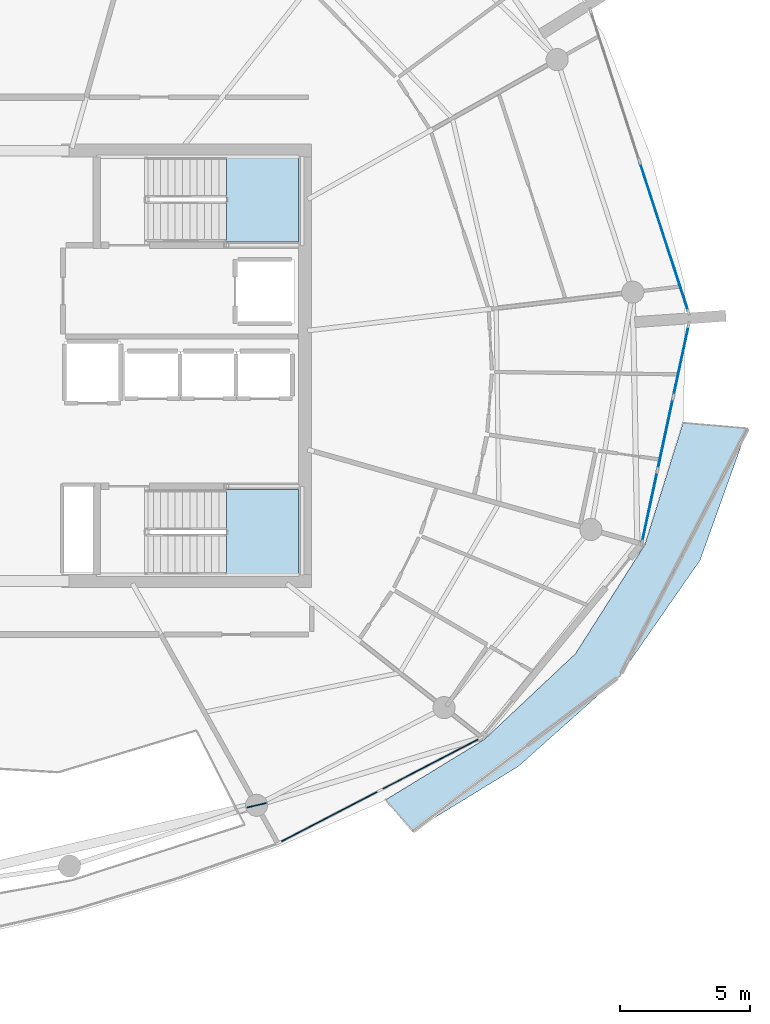
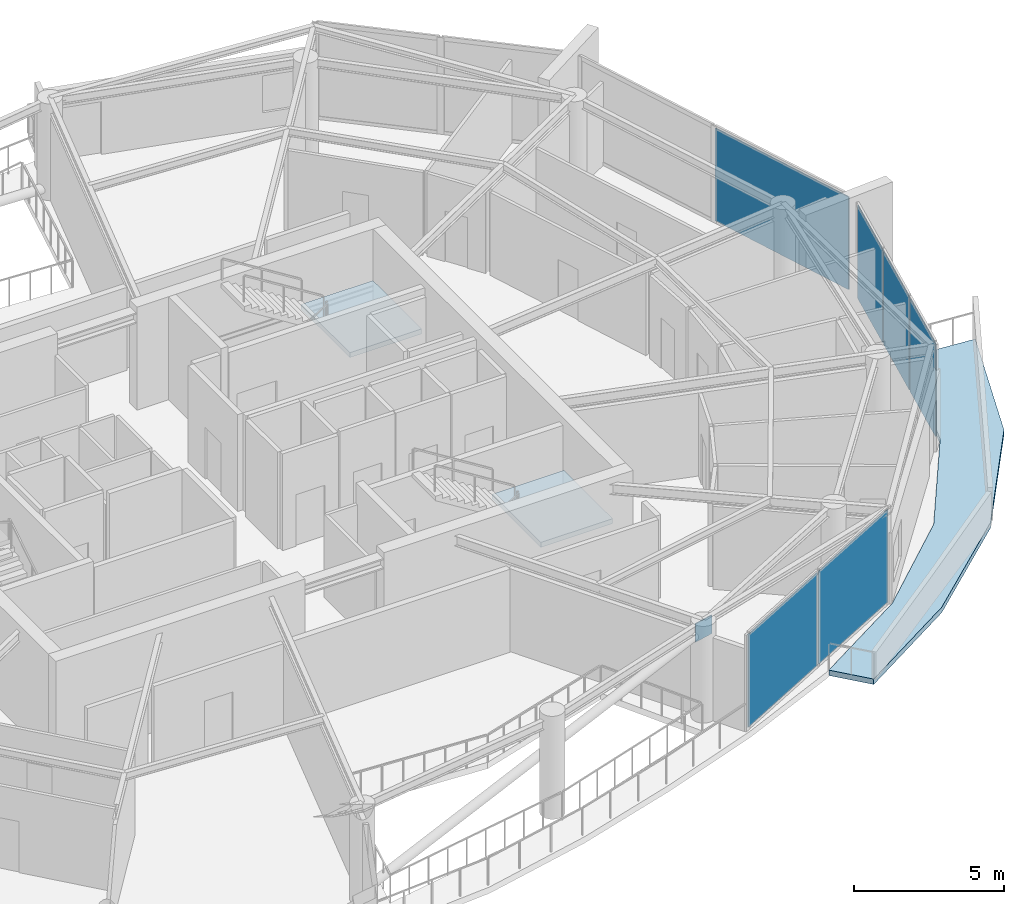
# One storey, part 11 of 22: 7 plates, 3 slabs, 5 elements without a shape of their own.
"""IFC4 building model written with IfcOpenShell, lengths in metres."""

from ifc_helpers import new_model, si_unit, direction, frame, origin, origin_2d, place, context, subcontext, project, spatial, polyline, rectangle, outline, extrude, material, layer, layer_set, type_object, element, aggregate, save


model = new_model("IFC4")

# Units and contexts
model_context = context("Model", 3, precision=1e-05, world=origin(), true_north=direction((0.0, 1.0)))
body_context = subcontext(model_context, "Body", "Model", "MODEL_VIEW")
ifc_project = project(units=[si_unit("LENGTHUNIT", "METRE"), si_unit("AREAUNIT", "SQUARE_METRE"), si_unit("VOLUMEUNIT", "CUBIC_METRE"), si_unit("PLANEANGLEUNIT", "RADIAN"), si_unit("MASSUNIT", "GRAM", prefix="KILO")], contexts=[model_context])

# Site, building, storey
site_placement = place(None, origin())
site = spatial("IfcSite", under=ifc_project, at=site_placement, CompositionType="ELEMENT")
building_placement = place(site_placement, origin())
building = spatial("IfcBuilding", under=site, at=building_placement, Name="Kazma Halo Residences", CompositionType="ELEMENT")
storey_placement = place(building_placement, frame((0.0, 0.0, 334.699951171875)))
storey = spatial("IfcBuildingStorey", under=building, at=storey_placement, Name="L84", CompositionType="ELEMENT", Elevation=334.699951171875)

# Curtain wall, plates
ifc_material_1 = material(Name="Aluminium AW-6063 T6 and Triple-Silver Low-E Glass", Category="aluminium")
ifc_layer_1 = layer(ifc_material_1, 0.239990234375)
ifc_layer_set_1 = layer_set([ifc_layer_1], Name="Aluminium AW-6063 T6 and Triple-Silver Low-E Glass")
curtain_wall_type = type_object("IfcCurtainWallType", Name="CW-SYS-6", PredefinedType="NOTDEFINED", material=ifc_layer_set_1)
curtain_wall_1_placement = place(storey_placement, origin())
curtain_wall_1 = element("IfcCurtainWall", 1, at=curtain_wall_1_placement, inside=storey, type_object=curtain_wall_type, Name="L84 unitised curtain wall B13", PredefinedType="NOTDEFINED")
ifc_material_2 = material(Name="Clear Triple-Silver Low-E Glass IGU", Category="glass")
ifc_layer_2 = layer(ifc_material_2, 0.035888671875)
ifc_layer_set_2 = layer_set([ifc_layer_2], Name="Clear Triple-Silver Low-E Glass IGU")
plate_type_1 = type_object("IfcPlateType", Name="CW-SYS-6-PNL", PredefinedType="CURTAIN_PANEL", material=ifc_layer_set_2)
plate_1_placement = place(storey_placement, frame((60.22802734375, 24.713134765625, 0.080078125), z_axis=(0.0, 0.0, 1.0), x_axis=(0.887506071618, 0.460796020861, 0.0)))
plate_1 = element("IfcPlate", 2, at=plate_1_placement, type_object=plate_type_1, Name="CWS-6 panel 1.1", PredefinedType="CURTAIN_PANEL", context=body_context, shape_type="SweptSolid", body=[
    extrude(rectangle(XDim=4.28662109375, YDim=0.035888671875, at=origin_2d()), origin(), (0.0, 0.0, 1.0), 3.780029296875),
])
plate_2_placement = place(storey_placement, frame((64.103271484375, 26.725341796875, 0.080078125), z_axis=(0.0, 0.0, 1.0), x_axis=(0.887506071618, 0.460796020861, 0.0)))
plate_2 = element("IfcPlate", 3, at=plate_2_placement, type_object=plate_type_1, Name="CWS-6 panel 2.1", PredefinedType="CURTAIN_PANEL", context=body_context, shape_type="SweptSolid", body=[
    extrude(rectangle(XDim=4.28662109375, YDim=0.035888671875, at=origin_2d()), origin(), (0.0, 0.0, 1.0), 3.780029296875),
])
aggregate(curtain_wall_1, [plate_1, plate_2])

curtain_wall_2_placement = place(storey_placement, origin())
curtain_wall_2 = element("IfcCurtainWall", 4, at=curtain_wall_2_placement, inside=storey, type_object=curtain_wall_type, Name="L84 unitised curtain wall B15", PredefinedType="NOTDEFINED")
plate_3_placement = place(storey_placement, frame((72.513427734375, 36.59912109375, 0.080078125), z_axis=(0.0, 0.0, 1.0), x_axis=(0.209722888986, 0.977760865363, 0.0)))
plate_3 = element("IfcPlate", 5, at=plate_3_placement, type_object=plate_type_1, Name="CWS-6 panel 1.1", PredefinedType="CURTAIN_PANEL", context=body_context, shape_type="SweptSolid", body=[
    extrude(rectangle(XDim=2.7578125, YDim=0.035888671875, at=origin_2d()), origin(), (0.0, 0.0, 1.0), 3.780029296875),
])
plate_4_placement = place(storey_placement, frame((73.11279296875, 39.3935546875, 0.080078125), z_axis=(0.0, 0.0, 1.0), x_axis=(0.209722888986, 0.977760865363, 0.0)))
plate_4 = element("IfcPlate", 6, at=plate_4_placement, type_object=plate_type_1, Name="CWS-6 panel 2.1", PredefinedType="CURTAIN_PANEL", context=body_context, shape_type="SweptSolid", body=[
    extrude(rectangle(XDim=2.7978515625, YDim=0.035888671875, at=origin_2d()), origin(), (0.0, 0.0, 1.0), 3.780029296875),
])
plate_5_placement = place(storey_placement, frame((73.712158203125, 42.187744140625, 0.080078125), z_axis=(0.0, 0.0, 1.0), x_axis=(0.209722888986, 0.977760865363, 0.0)))
plate_5 = element("IfcPlate", 7, at=plate_5_placement, type_object=plate_type_1, Name="CWS-6 panel 3.1", PredefinedType="CURTAIN_PANEL", context=body_context, shape_type="SweptSolid", body=[
    extrude(rectangle(XDim=2.7578125, YDim=0.035888671875, at=origin_2d()), origin(), (0.0, 0.0, 1.0), 3.780029296875),
])
aggregate(curtain_wall_2, [plate_3, plate_4, plate_5])

# Curtain wall, plate
curtain_wall_3_placement = place(storey_placement, origin())
curtain_wall_3 = element("IfcCurtainWall", 8, at=curtain_wall_3_placement, inside=storey, type_object=curtain_wall_type, Name="L84 unitised curtain wall B16", PredefinedType="NOTDEFINED")
plate_6_placement = place(storey_placement, frame((73.060791015625, 46.9501953125, 0.080078125), z_axis=(0.0, 0.0, 1.0), x_axis=(-0.309018932797, 0.951055886462, 0.0)))
plate_6 = element("IfcPlate", 9, at=plate_6_placement, type_object=plate_type_1, Name="CWS-6 panel 1.1", PredefinedType="CURTAIN_PANEL", context=body_context, shape_type="SweptSolid", body=[
    extrude(rectangle(XDim=5.99267578125, YDim=0.035888671875, at=origin_2d()), origin(), (0.0, 0.0, 1.0), 3.780029296875),
])
aggregate(curtain_wall_3, [plate_6])

# Plate
ifc_material_3 = material(Name="Steel S355", Category="steel")
ifc_layer_3 = layer(ifc_material_3, 0.0400390625)
ifc_layer_set_3 = layer_set([ifc_layer_3], Name="Steel S355")
plate_type_2 = type_object("IfcPlateType", Name="PLT-GUSSET-40", PredefinedType="SHEET", material=ifc_layer_set_3)
plate_7_placement = place(storey_placement, frame((57.436767578125, 25.1494140625, 3.18505859375), z_axis=(0.0, 0.0, 1.0), x_axis=(0.974083647521, 0.226188080216, 0.0)))
element("IfcPlate", 10, at=plate_7_placement, inside=storey, type_object=plate_type_2, Name="L84 wind-portal upper gusset SSE", PredefinedType="SHEET", context=body_context, shape_type="SweptSolid", body=[
    extrude(rectangle(XDim=0.75, YDim=0.0400390625, at=origin_2d()), origin(), (0.0, 0.0, 1.0), 0.75),
])

# Slab
ifc_material_4 = material(Name="White Concrete C50/60", Category="concrete")
ifc_layer_4 = layer(ifc_material_4, 0.219970703125)
ifc_layer_set_4 = layer_set([ifc_layer_4], Name="White Concrete C50/60")
slab_type_1 = type_object("IfcSlabType", Name="SLB-BAL-WAVE-210", PredefinedType="FLOOR", material=ifc_layer_set_4)
slab_1_placement = place(storey_placement, frame((0.0, 0.0, -0.219970703125)))
element("IfcSlab", 11, at=slab_1_placement, inside=storey, type_object=slab_type_1, Name="L84 SE cantilevered wave balcony slab", PredefinedType="FLOOR", context=body_context, shape_type="SweptSolid", body=[
    extrude(outline(polyline([(62.38818359375, 25.360595703125), (66.17236328125, 27.674072265625), (69.664794921875, 30.961181640625), (72.324951171875, 35.1396484375), (73.7900390625, 39.811767578125), (76.259521484375, 39.60205078125), (74.44189453125, 34.54248046875), (71.356689453125, 30.09912109375), (67.480224609375, 26.64306640625), (63.427001953125, 24.158935546875), (62.38818359375, 25.360595703125)])), origin(), (0.0, 0.0, 1.0), 0.219970703125),
])

# Stair, slab
ifc_material_5 = material(Name="Concrete C50/60", Category="concrete")
stair_type = type_object("IfcStairType", Name="STR-RES2", PredefinedType="HALF_TURN_STAIR", material=ifc_material_5)
stair_1_placement = place(storey_placement, origin())
stair_1 = element("IfcStair", 12, at=stair_1_placement, inside=storey, type_object=stair_type, Name="L84 Core exit stair ST-02", PredefinedType="HALF_TURN_STAIR")
ifc_layer_5 = layer(ifc_material_5, 0.199951171875)
ifc_layer_set_5 = layer_set([ifc_layer_5], Name="Concrete C50/60")
slab_type_2 = type_object("IfcSlabType", Name="SLB-STAIR-LND-200", PredefinedType="LANDING", material=ifc_layer_set_5)
slab_2_placement = place(storey_placement, frame((0.0, 0.0, 1.900146484375)))
slab_2 = element("IfcSlab", 13, at=slab_2_placement, type_object=slab_type_2, Name="ST-02 landing 1", PredefinedType="LANDING", context=body_context, shape_type="SweptSolid", body=[
    extrude(outline(polyline([(56.280029296875, 46.75), (59.050048828125, 46.75), (59.050048828125, 50.0), (56.280029296875, 50.0), (56.280029296875, 46.75)])), origin(), (0.0, 0.0, 1.0), 0.199951171875),
])
aggregate(stair_1, [slab_2])

stair_2_placement = place(storey_placement, origin())
stair_2 = element("IfcStair", 14, at=stair_2_placement, inside=storey, type_object=stair_type, Name="L84 Core exit stair ST-03", PredefinedType="HALF_TURN_STAIR")
slab_3_placement = place(storey_placement, frame((0.0, 0.0, 1.900146484375)))
slab_3 = element("IfcSlab", 15, at=slab_3_placement, type_object=slab_type_2, Name="ST-03 landing 1", PredefinedType="LANDING", context=body_context, shape_type="SweptSolid", body=[
    extrude(outline(polyline([(56.280029296875, 34.0), (59.050048828125, 34.0), (59.050048828125, 37.25), (56.280029296875, 37.25), (56.280029296875, 34.0)])), origin(), (0.0, 0.0, 1.0), 0.199951171875),
])
aggregate(stair_2, [slab_3])

save(model, "model.ifc")
